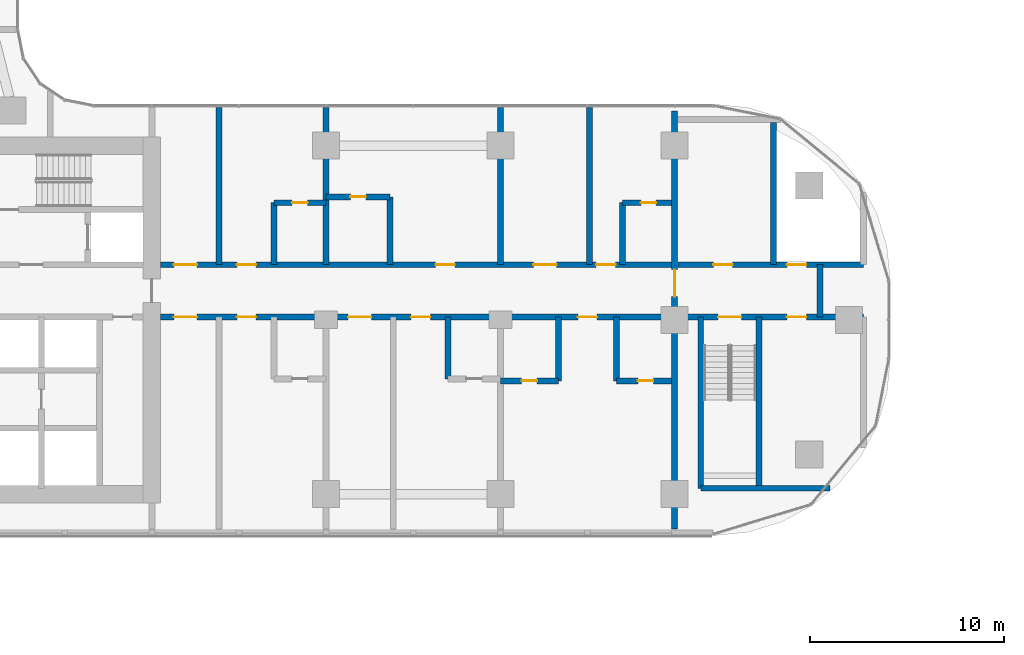
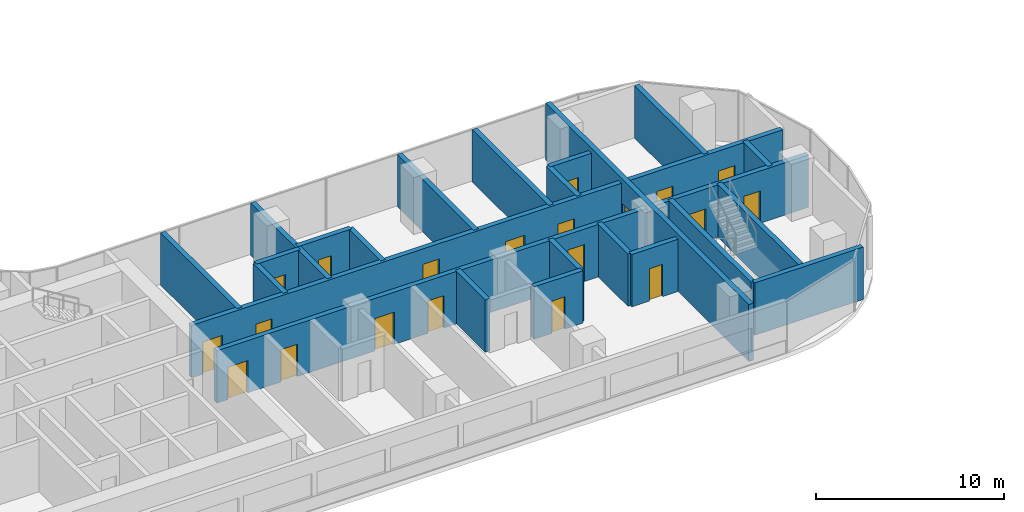
# One storey, part 18 of 32: 25 walls, 20 doors, 20 openings.
"""IFC4 building model written with IfcOpenShell, lengths in metres."""

from ifc_helpers import new_model, si_unit, direction, frame, frame_2d, origin, place, context, subcontext, project, spatial, rectangle, extrude, material, layer, layer_set, type_object, element, fill, save


model = new_model("IFC4")

# Units and contexts
model_context = context("Model", 3, precision=1e-05, world=origin(), true_north=direction((0.0, 1.0)))
body_context = subcontext(model_context, "Body", "Model", "MODEL_VIEW")
ifc_project = project(units=[si_unit("LENGTHUNIT", "METRE"), si_unit("AREAUNIT", "SQUARE_METRE"), si_unit("VOLUMEUNIT", "CUBIC_METRE"), si_unit("PLANEANGLEUNIT", "RADIAN"), si_unit("MASSUNIT", "GRAM", prefix="KILO")], contexts=[model_context])

# Site, building, storey
site_placement = place(None, origin())
site = spatial("IfcSite", under=ifc_project, at=site_placement, CompositionType="ELEMENT")
building_placement = place(site_placement, origin())
building = spatial("IfcBuilding", under=site, at=building_placement, Name="Ogive Portal Towers", CompositionType="ELEMENT")
storey_placement = place(building_placement, frame((0.0, 0.0, 59.39990234375)))
storey = spatial("IfcBuildingStorey", under=building, at=storey_placement, Name="L13", CompositionType="ELEMENT", Elevation=59.39990234375)

# Wall, opening, door
ifc_material_1 = material(Name="Concrete C60/75", Category="concrete")
ifc_layer_1 = layer(ifc_material_1, 0.300048828125)
ifc_layer_set_1 = layer_set([ifc_layer_1], Name="REVEAL WALL 300 C60")
wall_type_1 = type_object("IfcWallType", Name="REVEAL WALL 300 C60", PredefinedType="SHEAR", material=ifc_layer_set_1)
wall_1_placement = place(storey_placement, frame((85.5, 19.705078125, 0.0), z_axis=(0.0, 0.0, 1.0), x_axis=(0.0, 1.0, 0.0)))
wall_1 = element("IfcWall", 1, at=wall_1_placement, inside=storey, type_object=wall_type_1, Name="Portal reveal wall L13", PredefinedType="SHEAR", context=body_context, shape_type="SweptSolid", body=[
    extrude(rectangle(XDim=21.58984375, YDim=0.300048828125, at=frame_2d((10.794921875, 0.0))), origin(), (0.0, 0.0, 1.0), 3.7001953125),
])
opening_1_placement = place(wall_1_placement, frame((11.9951171875, 0.0, 0.0)))
opening_1 = element("IfcOpeningElement", 2, at=opening_1_placement, cuts=wall_1, Name="Opening D03-063", PredefinedType="OPENING", context=body_context, shape_type="SweptSolid", body=[
    extrude(rectangle(XDim=1.39990234375, YDim=2.10009765625, at=frame_2d((0.699951171875, 1.050048828125))), frame((0.0, 0.16015625, 0.0), z_axis=(0.0, -1.0, 0.0), x_axis=(1.0, 0.0, 0.0)), (0.0, 0.0, 1.0), 0.320068359375),
])
ifc_material_2 = material(Name="Steel fire door", Category="steel")
door_type_1 = type_object("IfcDoorType", Name="DT-STAIR-1400x2100-FD90S", OperationType="SINGLE_SWING_LEFT", PredefinedType="DOOR", material=ifc_material_2)
door_1_placement = place(opening_1_placement, origin())
door_1 = element("IfcDoor", 3, at=door_1_placement, inside=storey, type_object=door_type_1, Name="Door D03-063", OperationType="SINGLE_SWING_RIGHT", OverallHeight=2.10009765625, OverallWidth=1.39990234375, PredefinedType="DOOR", context=body_context, shape_type="SweptSolid", body=[
    extrude(rectangle(XDim=1.39990234375, YDim=2.10009765625, at=frame_2d((0.699951171875, 1.050048828125))), frame((0.0, 0.02490234375, 0.0), z_axis=(0.0, -1.0, 0.0), x_axis=(1.0, 0.0, 0.0)), (0.0, 0.0, 1.0), 0.050048828125),
])
fill(opening_1, door_1)

# Wall
ifc_material_3 = material(Name="Concrete C50/60", Category="concrete")
ifc_layer_2 = layer(ifc_material_3, 0.300048828125)
ifc_layer_set_2 = layer_set([ifc_layer_2], Name="STAIR WALL 300 C50")
wall_type_2 = type_object("IfcWallType", Name="STAIR WALL 300 C50", PredefinedType="SHEAR", material=ifc_layer_set_2)
wall_2_placement = place(storey_placement, frame((86.85009765625, 21.800048828125, 0.0), z_axis=(0.0, 0.0, 1.0), x_axis=(1.0, 0.0, 0.0)))
element("IfcWall", 4, at=wall_2_placement, inside=storey, type_object=wall_type_2, Name="Stair wall ST-A4 L13", PredefinedType="SHEAR", context=body_context, shape_type="SweptSolid", body=[
    extrude(rectangle(XDim=6.663818359375, YDim=0.300048828125, at=frame_2d((3.33203125, 0.0))), origin(), (0.0, 0.0, 1.0), 3.400146484375),
])

# Wall, openings, doors
wall_3_placement = place(storey_placement, frame((85.669921875, 30.64990234375, 0.0), z_axis=(0.0, 0.0, 1.0), x_axis=(1.0, 0.0, 0.0)))
wall_3 = element("IfcWall", 5, at=wall_3_placement, inside=storey, type_object=wall_type_2, Name="Stair wall ST-A4 L13", PredefinedType="SHEAR", context=body_context, shape_type="SweptSolid", body=[
    extrude(rectangle(XDim=9.580078125, YDim=0.300048828125, at=frame_2d((4.7900390625, 0.0))), origin(), (0.0, 0.0, 1.0), 3.400146484375),
])
opening_2_placement = place(wall_3_placement, frame((2.080078125, 0.0, 0.0)))
opening_2 = element("IfcOpeningElement", 6, at=opening_2_placement, cuts=wall_3, Name="Opening D03-058", PredefinedType="OPENING", context=body_context, shape_type="SweptSolid", body=[
    extrude(rectangle(XDim=1.199951171875, YDim=2.10009765625, at=frame_2d((0.60009765625, 1.050048828125))), frame((0.0, 0.16015625, 0.0), z_axis=(0.0, -1.0, 0.0), x_axis=(1.0, 0.0, 0.0)), (0.0, 0.0, 1.0), 0.320068359375),
])
opening_3_placement = place(wall_3_placement, frame((5.6298828125, 0.0, 0.0)))
opening_3 = element("IfcOpeningElement", 7, at=opening_3_placement, cuts=wall_3, Name="Opening D03-061", PredefinedType="OPENING", context=body_context, shape_type="SweptSolid", body=[
    extrude(rectangle(XDim=1.0, YDim=2.10009765625, at=frame_2d((0.5, 1.050048828125))), frame((0.0, 0.16015625, 0.0), z_axis=(0.0, -1.0, 0.0), x_axis=(1.0, 0.0, 0.0)), (0.0, 0.0, 1.0), 0.320068359375),
])
door_type_2 = type_object("IfcDoorType", Name="DT-SERVICE-1000x2100-FD90S", OperationType="SINGLE_SWING_LEFT", PredefinedType="DOOR", material=ifc_material_2)
door_2_placement = place(opening_3_placement, origin())
door_2 = element("IfcDoor", 8, at=door_2_placement, inside=storey, type_object=door_type_2, Name="Door D03-061", OperationType="SINGLE_SWING_LEFT", OverallHeight=2.10009765625, OverallWidth=1.0, PredefinedType="DOOR", context=body_context, shape_type="SweptSolid", body=[
    extrude(rectangle(XDim=1.0, YDim=2.10009765625, at=frame_2d((0.5, 1.050048828125))), frame((0.0, 0.02490234375, 0.0), z_axis=(0.0, -1.0, 0.0), x_axis=(1.0, 0.0, 0.0)), (0.0, 0.0, 1.0), 0.050048828125),
])
fill(opening_3, door_2)
door_type_3 = type_object("IfcDoorType", Name="DT-STAIR-1200x2100-FD90S", OperationType="SINGLE_SWING_LEFT", PredefinedType="DOOR", material=ifc_material_2)
door_3_placement = place(opening_2_placement, origin())
door_3 = element("IfcDoor", 9, at=door_3_placement, inside=storey, type_object=door_type_3, Name="Door D03-058", OperationType="SINGLE_SWING_LEFT", OverallHeight=2.10009765625, OverallWidth=1.199951171875, PredefinedType="DOOR", context=body_context, shape_type="SweptSolid", body=[
    extrude(rectangle(XDim=1.199951171875, YDim=2.10009765625, at=frame_2d((0.60009765625, 1.050048828125))), frame((0.0, 0.02490234375, 0.0), z_axis=(0.0, -1.0, 0.0), x_axis=(1.0, 0.0, 0.0)), (0.0, 0.0, 1.0), 0.050048828125),
])
fill(opening_2, door_3)

# Walls
for number, where, z_axis, x_axis, name in (
    (10, (86.85009765625, 21.800048828125, 0.0), (0.0, 0.0, 1.0), (0.0, 1.0, 0.0), "Stair wall ST-A4 L13"),
    (11, (89.85009765625, 21.800048828125, 0.0), (0.0, 0.0, 1.0), (0.0, 1.0, 0.0), "Stair wall ST-A4 L13"),
):
    element("IfcWall", number, at=place(storey_placement, frame(where, z_axis=z_axis, x_axis=x_axis)), inside=storey, type_object=wall_type_2, Name=name, PredefinedType="SHEAR", context=body_context, shape_type="SweptSolid", body=[
        extrude(rectangle(XDim=8.849853515625, YDim=0.300048828125, at=frame_2d((4.4248046875, 0.0))), origin(), (0.0, 0.0, 1.0), 3.400146484375),
    ])

# Wall, openings, doors
ifc_material_4 = material(Name="Gypsum board partition on steel studs", Category="steel")
ifc_layer_3 = layer(ifc_material_4, 0.300048828125)
ifc_layer_set_3 = layer_set([ifc_layer_3], Name="WT-PART-300-EI 120")
wall_type_3 = type_object("IfcWallType", Name="WT-PART-300-EI 120", PredefinedType="PARTITIONING", material=ifc_layer_set_3)
wall_4_placement = place(storey_placement, frame((58.949951171875, 30.64990234375, 0.0), z_axis=(0.0, 0.0, 1.0), x_axis=(1.0, 0.0, 0.0)))
wall_4 = element("IfcWall", 12, at=wall_4_placement, inside=storey, type_object=wall_type_3, Name="Wall L13:w006", PredefinedType="PARTITIONING", context=body_context, shape_type="SweptSolid", body=[
    extrude(rectangle(XDim=26.380126953125, YDim=0.300048828125, at=frame_2d((13.18994140625, 0.0))), origin(), (0.0, 0.0, 1.0), 3.400146484375),
])
opening_4_placement = place(wall_4_placement, frame((0.68505859375, 0.0, 0.0)))
opening_4 = element("IfcOpeningElement", 13, at=opening_4_placement, cuts=wall_4, Name="Opening D03-029", PredefinedType="OPENING", context=body_context, shape_type="SweptSolid", body=[
    extrude(rectangle(XDim=1.199951171875, YDim=2.10009765625, at=frame_2d((0.60009765625, 1.050048828125))), frame((0.0, 0.16015625, 0.0), z_axis=(0.0, -1.0, 0.0), x_axis=(1.0, 0.0, 0.0)), (0.0, 0.0, 1.0), 0.320068359375),
])
opening_5_placement = place(wall_4_placement, frame((3.93505859375, 0.0, 0.0)))
opening_5 = element("IfcOpeningElement", 14, at=opening_5_placement, cuts=wall_4, Name="Opening D03-031", PredefinedType="OPENING", context=body_context, shape_type="SweptSolid", body=[
    extrude(rectangle(XDim=1.0, YDim=2.10009765625, at=frame_2d((0.5, 1.050048828125))), frame((0.0, 0.16015625, 0.0), z_axis=(0.0, -1.0, 0.0), x_axis=(1.0, 0.0, 0.0)), (0.0, 0.0, 1.0), 0.320068359375),
])
opening_6_placement = place(wall_4_placement, frame((9.68505859375, 0.0, 0.0)))
opening_6 = element("IfcOpeningElement", 15, at=opening_6_placement, cuts=wall_4, Name="Opening D03-034", PredefinedType="OPENING", context=body_context, shape_type="SweptSolid", body=[
    extrude(rectangle(XDim=1.199951171875, YDim=2.10009765625, at=frame_2d((0.60009765625, 1.050048828125))), frame((0.0, 0.16015625, 0.0), z_axis=(0.0, -1.0, 0.0), x_axis=(1.0, 0.0, 0.0)), (0.0, 0.0, 1.0), 0.320068359375),
])
opening_7_placement = place(wall_4_placement, frame((12.93505859375, 0.0, 0.0)))
opening_7 = element("IfcOpeningElement", 16, at=opening_7_placement, cuts=wall_4, Name="Opening D03-036", PredefinedType="OPENING", context=body_context, shape_type="SweptSolid", body=[
    extrude(rectangle(XDim=1.0, YDim=2.10009765625, at=frame_2d((0.5, 1.050048828125))), frame((0.0, 0.16015625, 0.0), z_axis=(0.0, -1.0, 0.0), x_axis=(1.0, 0.0, 0.0)), (0.0, 0.0, 1.0), 0.320068359375),
])
opening_8_placement = place(wall_4_placement, frame((21.550048828125, 0.0, 0.0)))
opening_8 = element("IfcOpeningElement", 17, at=opening_8_placement, cuts=wall_4, Name="Opening D03-042", PredefinedType="OPENING", context=body_context, shape_type="SweptSolid", body=[
    extrude(rectangle(XDim=1.0, YDim=2.39990234375, at=frame_2d((0.5, 1.199951171875))), frame((0.0, 0.16015625, 0.0), z_axis=(0.0, -1.0, 0.0), x_axis=(1.0, 0.0, 0.0)), (0.0, 0.0, 1.0), 0.320068359375),
])
door_type_4 = type_object("IfcDoorType", Name="DT-ENTRY-1000x2100-FD90S", OperationType="SINGLE_SWING_LEFT", PredefinedType="DOOR", material=ifc_material_2)
door_4_placement = place(opening_5_placement, origin())
door_4 = element("IfcDoor", 18, at=door_4_placement, inside=storey, type_object=door_type_4, Name="Door D03-031", OperationType="SINGLE_SWING_LEFT", OverallHeight=2.10009765625, OverallWidth=1.0, PredefinedType="DOOR", context=body_context, shape_type="SweptSolid", body=[
    extrude(rectangle(XDim=1.0, YDim=2.10009765625, at=frame_2d((0.5, 1.050048828125))), frame((0.0, 0.02490234375, 0.0), z_axis=(0.0, -1.0, 0.0), x_axis=(1.0, 0.0, 0.0)), (0.0, 0.0, 1.0), 0.050048828125),
])
fill(opening_5, door_4)
door_5_placement = place(opening_7_placement, origin())
door_5 = element("IfcDoor", 19, at=door_5_placement, inside=storey, type_object=door_type_4, Name="Door D03-036", OperationType="SINGLE_SWING_LEFT", OverallHeight=2.10009765625, OverallWidth=1.0, PredefinedType="DOOR", context=body_context, shape_type="SweptSolid", body=[
    extrude(rectangle(XDim=1.0, YDim=2.10009765625, at=frame_2d((0.5, 1.050048828125))), frame((0.0, 0.02490234375, 0.0), z_axis=(0.0, -1.0, 0.0), x_axis=(1.0, 0.0, 0.0)), (0.0, 0.0, 1.0), 0.050048828125),
])
fill(opening_7, door_5)
door_type_5 = type_object("IfcDoorType", Name="DT-ENTRY-1000x2400-FD90S", OperationType="SINGLE_SWING_LEFT", PredefinedType="DOOR", material=ifc_material_2)
door_6_placement = place(opening_8_placement, origin())
door_6 = element("IfcDoor", 20, at=door_6_placement, inside=storey, type_object=door_type_5, Name="Door D03-042", OperationType="SINGLE_SWING_RIGHT", OverallHeight=2.39990234375, OverallWidth=1.0, PredefinedType="DOOR", context=body_context, shape_type="SweptSolid", body=[
    extrude(rectangle(XDim=1.0, YDim=2.39990234375, at=frame_2d((0.5, 1.199951171875))), frame((0.0, 0.02490234375, 0.0), z_axis=(0.0, -1.0, 0.0), x_axis=(1.0, 0.0, 0.0)), (0.0, 0.0, 1.0), 0.050048828125),
])
fill(opening_8, door_6)
door_type_6 = type_object("IfcDoorType", Name="DT-ENTRY-1200x2100-FD90S", OperationType="SINGLE_SWING_LEFT", PredefinedType="DOOR", material=ifc_material_2)
door_7_placement = place(opening_4_placement, origin())
door_7 = element("IfcDoor", 21, at=door_7_placement, inside=storey, type_object=door_type_6, Name="Door D03-029", OperationType="SINGLE_SWING_LEFT", OverallHeight=2.10009765625, OverallWidth=1.199951171875, PredefinedType="DOOR", context=body_context, shape_type="SweptSolid", body=[
    extrude(rectangle(XDim=1.199951171875, YDim=2.10009765625, at=frame_2d((0.60009765625, 1.050048828125))), frame((0.0, 0.02490234375, 0.0), z_axis=(0.0, -1.0, 0.0), x_axis=(1.0, 0.0, 0.0)), (0.0, 0.0, 1.0), 0.050048828125),
])
fill(opening_4, door_7)
door_8_placement = place(opening_6_placement, origin())
door_8 = element("IfcDoor", 22, at=door_8_placement, inside=storey, type_object=door_type_6, Name="Door D03-034", OperationType="SINGLE_SWING_RIGHT", OverallHeight=2.10009765625, OverallWidth=1.199951171875, PredefinedType="DOOR", context=body_context, shape_type="SweptSolid", body=[
    extrude(rectangle(XDim=1.199951171875, YDim=2.10009765625, at=frame_2d((0.60009765625, 1.050048828125))), frame((0.0, 0.02490234375, 0.0), z_axis=(0.0, -1.0, 0.0), x_axis=(1.0, 0.0, 0.0)), (0.0, 0.0, 1.0), 0.050048828125),
])
fill(opening_6, door_8)

wall_5_placement = place(storey_placement, frame((58.949951171875, 33.35009765625, 0.0), z_axis=(0.0, 0.0, 1.0), x_axis=(1.0, 0.0, 0.0)))
wall_5 = element("IfcWall", 23, at=wall_5_placement, inside=storey, type_object=wall_type_3, Name="Wall L13:w008", PredefinedType="PARTITIONING", context=body_context, shape_type="SweptSolid", body=[
    extrude(rectangle(XDim=26.380126953125, YDim=0.300048828125, at=frame_2d((13.18994140625, 0.0))), origin(), (0.0, 0.0, 1.0), 3.400146484375),
])
opening_9_placement = place(wall_5_placement, frame((0.68505859375, 0.0, 0.0)))
opening_9 = element("IfcOpeningElement", 24, at=opening_9_placement, cuts=wall_5, Name="Opening D03-026", PredefinedType="OPENING", context=body_context, shape_type="SweptSolid", body=[
    extrude(rectangle(XDim=1.199951171875, YDim=2.10009765625, at=frame_2d((0.60009765625, 1.050048828125))), frame((0.0, 0.16015625, 0.0), z_axis=(0.0, -1.0, 0.0), x_axis=(1.0, 0.0, 0.0)), (0.0, 0.0, 1.0), 0.320068359375),
])
opening_10_placement = place(wall_5_placement, frame((3.93505859375, 0.0, 0.0)))
opening_10 = element("IfcOpeningElement", 25, at=opening_10_placement, cuts=wall_5, Name="Opening D03-028", PredefinedType="OPENING", context=body_context, shape_type="SweptSolid", body=[
    extrude(rectangle(XDim=1.0, YDim=2.10009765625, at=frame_2d((0.5, 1.050048828125))), frame((0.0, 0.16015625, 0.0), z_axis=(0.0, -1.0, 0.0), x_axis=(1.0, 0.0, 0.0)), (0.0, 0.0, 1.0), 0.320068359375),
])
opening_11_placement = place(wall_5_placement, frame((14.199951171875, 0.0, 0.0)))
opening_11 = element("IfcOpeningElement", 26, at=opening_11_placement, cuts=wall_5, Name="Opening D03-033", PredefinedType="OPENING", context=body_context, shape_type="SweptSolid", body=[
    extrude(rectangle(XDim=1.0, YDim=2.39990234375, at=frame_2d((0.5, 1.199951171875))), frame((0.0, 0.16015625, 0.0), z_axis=(0.0, -1.0, 0.0), x_axis=(1.0, 0.0, 0.0)), (0.0, 0.0, 1.0), 0.320068359375),
])
opening_12_placement = place(wall_5_placement, frame((19.25, 0.0, 0.0)))
opening_12 = element("IfcOpeningElement", 27, at=opening_12_placement, cuts=wall_5, Name="Opening D03-037", PredefinedType="OPENING", context=body_context, shape_type="SweptSolid", body=[
    extrude(rectangle(XDim=1.199951171875, YDim=2.10009765625, at=frame_2d((0.60009765625, 1.050048828125))), frame((0.0, 0.16015625, 0.0), z_axis=(0.0, -1.0, 0.0), x_axis=(1.0, 0.0, 0.0)), (0.0, 0.0, 1.0), 0.320068359375),
])
opening_13_placement = place(wall_5_placement, frame((22.5, 0.0, 0.0)))
opening_13 = element("IfcOpeningElement", 28, at=opening_13_placement, cuts=wall_5, Name="Opening D03-039", PredefinedType="OPENING", context=body_context, shape_type="SweptSolid", body=[
    extrude(rectangle(XDim=1.0, YDim=2.10009765625, at=frame_2d((0.5, 1.050048828125))), frame((0.0, 0.16015625, 0.0), z_axis=(0.0, -1.0, 0.0), x_axis=(1.0, 0.0, 0.0)), (0.0, 0.0, 1.0), 0.320068359375),
])
door_9_placement = place(opening_10_placement, origin())
door_9 = element("IfcDoor", 29, at=door_9_placement, inside=storey, type_object=door_type_4, Name="Door D03-028", OperationType="SINGLE_SWING_LEFT", OverallHeight=2.10009765625, OverallWidth=1.0, PredefinedType="DOOR", context=body_context, shape_type="SweptSolid", body=[
    extrude(rectangle(XDim=1.0, YDim=2.10009765625, at=frame_2d((0.5, 1.050048828125))), frame((0.0, 0.02490234375, 0.0), z_axis=(0.0, -1.0, 0.0), x_axis=(1.0, 0.0, 0.0)), (0.0, 0.0, 1.0), 0.050048828125),
])
fill(opening_10, door_9)
door_10_placement = place(opening_13_placement, origin())
door_10 = element("IfcDoor", 30, at=door_10_placement, inside=storey, type_object=door_type_4, Name="Door D03-039", OperationType="SINGLE_SWING_LEFT", OverallHeight=2.10009765625, OverallWidth=1.0, PredefinedType="DOOR", context=body_context, shape_type="SweptSolid", body=[
    extrude(rectangle(XDim=1.0, YDim=2.10009765625, at=frame_2d((0.5, 1.050048828125))), frame((0.0, 0.02490234375, 0.0), z_axis=(0.0, -1.0, 0.0), x_axis=(1.0, 0.0, 0.0)), (0.0, 0.0, 1.0), 0.050048828125),
])
fill(opening_13, door_10)
door_11_placement = place(opening_11_placement, origin())
door_11 = element("IfcDoor", 31, at=door_11_placement, inside=storey, type_object=door_type_5, Name="Door D03-033", OperationType="SINGLE_SWING_LEFT", OverallHeight=2.39990234375, OverallWidth=1.0, PredefinedType="DOOR", context=body_context, shape_type="SweptSolid", body=[
    extrude(rectangle(XDim=1.0, YDim=2.39990234375, at=frame_2d((0.5, 1.199951171875))), frame((0.0, 0.02490234375, 0.0), z_axis=(0.0, -1.0, 0.0), x_axis=(1.0, 0.0, 0.0)), (0.0, 0.0, 1.0), 0.050048828125),
])
fill(opening_11, door_11)
door_12_placement = place(opening_9_placement, origin())
door_12 = element("IfcDoor", 32, at=door_12_placement, inside=storey, type_object=door_type_6, Name="Door D03-026", OperationType="SINGLE_SWING_LEFT", OverallHeight=2.10009765625, OverallWidth=1.199951171875, PredefinedType="DOOR", context=body_context, shape_type="SweptSolid", body=[
    extrude(rectangle(XDim=1.199951171875, YDim=2.10009765625, at=frame_2d((0.60009765625, 1.050048828125))), frame((0.0, 0.02490234375, 0.0), z_axis=(0.0, -1.0, 0.0), x_axis=(1.0, 0.0, 0.0)), (0.0, 0.0, 1.0), 0.050048828125),
])
fill(opening_9, door_12)
door_13_placement = place(opening_12_placement, origin())
door_13 = element("IfcDoor", 33, at=door_13_placement, inside=storey, type_object=door_type_6, Name="Door D03-037", OperationType="SINGLE_SWING_RIGHT", OverallHeight=2.10009765625, OverallWidth=1.199951171875, PredefinedType="DOOR", context=body_context, shape_type="SweptSolid", body=[
    extrude(rectangle(XDim=1.199951171875, YDim=2.10009765625, at=frame_2d((0.60009765625, 1.050048828125))), frame((0.0, 0.02490234375, 0.0), z_axis=(0.0, -1.0, 0.0), x_axis=(1.0, 0.0, 0.0)), (0.0, 0.0, 1.0), 0.050048828125),
])
fill(opening_12, door_13)

wall_6_placement = place(storey_placement, frame((85.669921875, 33.35009765625, 0.0), z_axis=(0.0, 0.0, 1.0), x_axis=(1.0, 0.0, 0.0)))
wall_6 = element("IfcWall", 34, at=wall_6_placement, inside=storey, type_object=wall_type_3, Name="Wall L13:w009", PredefinedType="PARTITIONING", context=body_context, shape_type="SweptSolid", body=[
    extrude(rectangle(XDim=9.580078125, YDim=0.300048828125, at=frame_2d((4.7900390625, 0.0))), origin(), (0.0, 0.0, 1.0), 3.400146484375),
])
opening_14_placement = place(wall_6_placement, frame((1.830078125, 0.0, 0.0)))
opening_14 = element("IfcOpeningElement", 35, at=opening_14_placement, cuts=wall_6, Name="Opening D03-059", PredefinedType="OPENING", context=body_context, shape_type="SweptSolid", body=[
    extrude(rectangle(XDim=1.0, YDim=2.10009765625, at=frame_2d((0.5, 1.050048828125))), frame((0.0, 0.16015625, 0.0), z_axis=(0.0, -1.0, 0.0), x_axis=(1.0, 0.0, 0.0)), (0.0, 0.0, 1.0), 0.320068359375),
])
opening_15_placement = place(wall_6_placement, frame((5.6298828125, 0.0, 0.0)))
opening_15 = element("IfcOpeningElement", 36, at=opening_15_placement, cuts=wall_6, Name="Opening D03-060", PredefinedType="OPENING", context=body_context, shape_type="SweptSolid", body=[
    extrude(rectangle(XDim=1.0, YDim=2.10009765625, at=frame_2d((0.5, 1.050048828125))), frame((0.0, 0.16015625, 0.0), z_axis=(0.0, -1.0, 0.0), x_axis=(1.0, 0.0, 0.0)), (0.0, 0.0, 1.0), 0.320068359375),
])
door_14_placement = place(opening_14_placement, origin())
door_14 = element("IfcDoor", 37, at=door_14_placement, inside=storey, type_object=door_type_2, Name="Door D03-059", OperationType="SINGLE_SWING_LEFT", OverallHeight=2.10009765625, OverallWidth=1.0, PredefinedType="DOOR", context=body_context, shape_type="SweptSolid", body=[
    extrude(rectangle(XDim=1.0, YDim=2.10009765625, at=frame_2d((0.5, 1.050048828125))), frame((0.0, 0.02490234375, 0.0), z_axis=(0.0, -1.0, 0.0), x_axis=(1.0, 0.0, 0.0)), (0.0, 0.0, 1.0), 0.050048828125),
])
fill(opening_14, door_14)
door_15_placement = place(opening_15_placement, origin())
door_15 = element("IfcDoor", 38, at=door_15_placement, inside=storey, type_object=door_type_2, Name="Riser access door D03-060", OperationType="SINGLE_SWING_RIGHT", OverallHeight=2.10009765625, OverallWidth=1.0, PredefinedType="DOOR", context=body_context, shape_type="SweptSolid", body=[
    extrude(rectangle(XDim=1.0, YDim=2.10009765625, at=frame_2d((0.5, 1.050048828125))), frame((0.0, 0.02490234375, 0.0), z_axis=(0.0, -1.0, 0.0), x_axis=(1.0, 0.0, 0.0)), (0.0, 0.0, 1.0), 0.050048828125),
])
fill(opening_15, door_15)

# Wall
wall_7_placement = place(storey_placement, frame((93.0, 30.64990234375, 0.0), z_axis=(0.0, 0.0, 1.0), x_axis=(0.0, 1.0, 0.0)))
element("IfcWall", 39, at=wall_7_placement, inside=storey, type_object=wall_type_3, Name="Wall L13:w063", PredefinedType="PARTITIONING", context=body_context, shape_type="SweptSolid", body=[
    extrude(rectangle(XDim=2.7001953125, YDim=0.300048828125, at=frame_2d((1.35009765625, 0.0))), origin(), (0.0, 0.0, 1.0), 3.400146484375),
])

# Wall, opening, door
ifc_layer_4 = layer(ifc_material_4, 0.300048828125)
ifc_layer_set_4 = layer_set([ifc_layer_4], Name="WT-PART-300-EI 60")
wall_type_4 = type_object("IfcWallType", Name="WT-PART-300-EI 60", PredefinedType="PARTITIONING", material=ifc_layer_set_4)
wall_8_placement = place(storey_placement, frame((76.5, 27.35009765625, 0.0), z_axis=(0.0, 0.0, 1.0), x_axis=(1.0, 0.0, 0.0)))
wall_8 = element("IfcWall", 40, at=wall_8_placement, inside=storey, type_object=wall_type_4, Name="Wall L13:w002", PredefinedType="PARTITIONING", context=body_context, shape_type="SweptSolid", body=[
    extrude(rectangle(XDim=3.0, YDim=0.300048828125, at=frame_2d((1.5, 0.0))), origin(), (0.0, 0.0, 1.0), 3.400146484375),
])
opening_16_placement = place(wall_8_placement, frame((1.10009765625, 0.0, 0.0)))
opening_16 = element("IfcOpeningElement", 41, at=opening_16_placement, cuts=wall_8, Name="Opening D03-040", PredefinedType="OPENING", context=body_context, shape_type="SweptSolid", body=[
    extrude(rectangle(XDim=0.800048828125, YDim=2.10009765625, at=frame_2d((0.39990234375, 1.050048828125))), frame((0.0, 0.16015625, 0.0), z_axis=(0.0, -1.0, 0.0), x_axis=(1.0, 0.0, 0.0)), (0.0, 0.0, 1.0), 0.320068359375),
])
door_type_7 = type_object("IfcDoorType", Name="DT-BATH-800x2100-FD60S", OperationType="SINGLE_SWING_LEFT", PredefinedType="DOOR", material=ifc_material_2)
door_16_placement = place(opening_16_placement, origin())
door_16 = element("IfcDoor", 42, at=door_16_placement, inside=storey, type_object=door_type_7, Name="Door D03-040", OperationType="SINGLE_SWING_LEFT", OverallHeight=2.10009765625, OverallWidth=0.800048828125, PredefinedType="DOOR", context=body_context, shape_type="SweptSolid", body=[
    extrude(rectangle(XDim=0.800048828125, YDim=2.10009765625, at=frame_2d((0.39990234375, 1.050048828125))), frame((0.0, 0.02490234375, 0.0), z_axis=(0.0, -1.0, 0.0), x_axis=(1.0, 0.0, 0.0)), (0.0, 0.0, 1.0), 0.050048828125),
])
fill(opening_16, door_16)

wall_9_placement = place(storey_placement, frame((82.5, 27.35009765625, 0.0), z_axis=(0.0, 0.0, 1.0), x_axis=(1.0, 0.0, 0.0)))
wall_9 = element("IfcWall", 43, at=wall_9_placement, inside=storey, type_object=wall_type_4, Name="Wall L13:w003", PredefinedType="PARTITIONING", context=body_context, shape_type="SweptSolid", body=[
    extrude(rectangle(XDim=2.830078125, YDim=0.300048828125, at=frame_2d((1.4150390625, 0.0))), origin(), (0.0, 0.0, 1.0), 3.400146484375),
])
opening_17_placement = place(wall_9_placement, frame((1.10009765625, 0.0, 0.0)))
opening_17 = element("IfcOpeningElement", 44, at=opening_17_placement, cuts=wall_9, Name="Opening D03-041", PredefinedType="OPENING", context=body_context, shape_type="SweptSolid", body=[
    extrude(rectangle(XDim=0.800048828125, YDim=2.10009765625, at=frame_2d((0.39990234375, 1.050048828125))), frame((0.0, 0.16015625, 0.0), z_axis=(0.0, -1.0, 0.0), x_axis=(1.0, 0.0, 0.0)), (0.0, 0.0, 1.0), 0.320068359375),
])
door_17_placement = place(opening_17_placement, origin())
door_17 = element("IfcDoor", 45, at=door_17_placement, inside=storey, type_object=door_type_7, Name="Door D03-041", OperationType="SINGLE_SWING_LEFT", OverallHeight=2.10009765625, OverallWidth=0.800048828125, PredefinedType="DOOR", context=body_context, shape_type="SweptSolid", body=[
    extrude(rectangle(XDim=0.800048828125, YDim=2.10009765625, at=frame_2d((0.39990234375, 1.050048828125))), frame((0.0, 0.02490234375, 0.0), z_axis=(0.0, -1.0, 0.0), x_axis=(1.0, 0.0, 0.0)), (0.0, 0.0, 1.0), 0.050048828125),
])
fill(opening_17, door_17)

wall_10_placement = place(storey_placement, frame((64.800048828125, 36.550048828125, 0.0), z_axis=(0.0, 0.0, 1.0), x_axis=(1.0, 0.0, 0.0)))
wall_10 = element("IfcWall", 46, at=wall_10_placement, inside=storey, type_object=wall_type_4, Name="Wall L13:w010", PredefinedType="PARTITIONING", context=body_context, shape_type="SweptSolid", body=[
    extrude(rectangle(XDim=2.699951171875, YDim=0.300048828125, at=frame_2d((1.35009765625, 0.0))), origin(), (0.0, 0.0, 1.0), 3.400146484375),
])
opening_18_placement = place(wall_10_placement, frame((0.949951171875, 0.0, 0.0)))
opening_18 = element("IfcOpeningElement", 47, at=opening_18_placement, cuts=wall_10, Name="Opening D03-027", PredefinedType="OPENING", context=body_context, shape_type="SweptSolid", body=[
    extrude(rectangle(XDim=0.800048828125, YDim=2.10009765625, at=frame_2d((0.39990234375, 1.050048828125))), frame((0.0, 0.16015625, 0.0), z_axis=(0.0, -1.0, 0.0), x_axis=(1.0, 0.0, 0.0)), (0.0, 0.0, 1.0), 0.320068359375),
])
door_18_placement = place(opening_18_placement, origin())
door_18 = element("IfcDoor", 48, at=door_18_placement, inside=storey, type_object=door_type_7, Name="Door D03-027", OperationType="SINGLE_SWING_RIGHT", OverallHeight=2.10009765625, OverallWidth=0.800048828125, PredefinedType="DOOR", context=body_context, shape_type="SweptSolid", body=[
    extrude(rectangle(XDim=0.800048828125, YDim=2.10009765625, at=frame_2d((0.39990234375, 1.050048828125))), frame((0.0, 0.02490234375, 0.0), z_axis=(0.0, -1.0, 0.0), x_axis=(1.0, 0.0, 0.0)), (0.0, 0.0, 1.0), 0.050048828125),
])
fill(opening_18, door_18)

wall_11_placement = place(storey_placement, frame((82.800048828125, 36.550048828125, 0.0), z_axis=(0.0, 0.0, 1.0), x_axis=(1.0, 0.0, 0.0)))
wall_11 = element("IfcWall", 49, at=wall_11_placement, inside=storey, type_object=wall_type_4, Name="Wall L13:w011", PredefinedType="PARTITIONING", context=body_context, shape_type="SweptSolid", body=[
    extrude(rectangle(XDim=2.530029296875, YDim=0.300048828125, at=frame_2d((1.26513671875, 0.0))), origin(), (0.0, 0.0, 1.0), 3.400146484375),
])
opening_19_placement = place(wall_11_placement, frame((0.949951171875, 0.0, 0.0)))
opening_19 = element("IfcOpeningElement", 50, at=opening_19_placement, cuts=wall_11, Name="Opening D03-038", PredefinedType="OPENING", context=body_context, shape_type="SweptSolid", body=[
    extrude(rectangle(XDim=0.800048828125, YDim=2.10009765625, at=frame_2d((0.39990234375, 1.050048828125))), frame((0.0, 0.16015625, 0.0), z_axis=(0.0, -1.0, 0.0), x_axis=(1.0, 0.0, 0.0)), (0.0, 0.0, 1.0), 0.320068359375),
])
door_19_placement = place(opening_19_placement, origin())
door_19 = element("IfcDoor", 51, at=door_19_placement, inside=storey, type_object=door_type_7, Name="Door D03-038", OperationType="SINGLE_SWING_LEFT", OverallHeight=2.10009765625, OverallWidth=0.800048828125, PredefinedType="DOOR", context=body_context, shape_type="SweptSolid", body=[
    extrude(rectangle(XDim=0.800048828125, YDim=2.10009765625, at=frame_2d((0.39990234375, 1.050048828125))), frame((0.0, 0.02490234375, 0.0), z_axis=(0.0, -1.0, 0.0), x_axis=(1.0, 0.0, 0.0)), (0.0, 0.0, 1.0), 0.050048828125),
])
fill(opening_19, door_19)

wall_12_placement = place(storey_placement, frame((67.5, 36.85009765625, 0.0), z_axis=(0.0, 0.0, 1.0), x_axis=(1.0, 0.0, 0.0)))
wall_12 = element("IfcWall", 52, at=wall_12_placement, inside=storey, type_object=wall_type_4, Name="Wall L13:w012", PredefinedType="PARTITIONING", context=body_context, shape_type="SweptSolid", body=[
    extrude(rectangle(XDim=3.300048828125, YDim=0.300048828125, at=frame_2d((1.64990234375, 0.0))), origin(), (0.0, 0.0, 1.0), 3.400146484375),
])
opening_20_placement = place(wall_12_placement, frame((1.25, 0.0, 0.0)))
opening_20 = element("IfcOpeningElement", 53, at=opening_20_placement, cuts=wall_12, Name="Opening D03-032", PredefinedType="OPENING", context=body_context, shape_type="SweptSolid", body=[
    extrude(rectangle(XDim=0.800048828125, YDim=2.10009765625, at=frame_2d((0.39990234375, 1.050048828125))), frame((0.0, 0.16015625, 0.0), z_axis=(0.0, -1.0, 0.0), x_axis=(1.0, 0.0, 0.0)), (0.0, 0.0, 1.0), 0.320068359375),
])
door_20_placement = place(opening_20_placement, origin())
door_20 = element("IfcDoor", 54, at=door_20_placement, inside=storey, type_object=door_type_7, Name="Door D03-032", OperationType="SINGLE_SWING_LEFT", OverallHeight=2.10009765625, OverallWidth=0.800048828125, PredefinedType="DOOR", context=body_context, shape_type="SweptSolid", body=[
    extrude(rectangle(XDim=0.800048828125, YDim=2.10009765625, at=frame_2d((0.39990234375, 1.050048828125))), frame((0.0, 0.02490234375, 0.0), z_axis=(0.0, -1.0, 0.0), x_axis=(1.0, 0.0, 0.0)), (0.0, 0.0, 1.0), 0.050048828125),
])
fill(opening_20, door_20)

# Walls
wall_13_placement = place(storey_placement, frame((61.969970703125, 33.35009765625, 0.0), z_axis=(0.0, 0.0, 1.0), x_axis=(0.0, 1.0, 0.0)))
element("IfcWall", 55, at=wall_13_placement, inside=storey, type_object=wall_type_4, Name="Wall L13:w046", PredefinedType="PARTITIONING", context=body_context, shape_type="SweptSolid", body=[
    extrude(rectangle(XDim=8.125, YDim=0.300048828125, at=frame_2d((4.0625, 0.0))), origin(), (0.0, 0.0, 1.0), 3.400146484375),
])
wall_14_placement = place(storey_placement, frame((64.800048828125, 33.35009765625, 0.0), z_axis=(0.0, 0.0, 1.0), x_axis=(0.0, 1.0, 0.0)))
element("IfcWall", 56, at=wall_14_placement, inside=storey, type_object=wall_type_4, Name="Wall L13:w048", PredefinedType="PARTITIONING", context=body_context, shape_type="SweptSolid", body=[
    extrude(rectangle(XDim=3.199951171875, YDim=0.300048828125, at=frame_2d((1.60009765625, 0.0))), origin(), (0.0, 0.0, 1.0), 3.400146484375),
])
wall_15_placement = place(storey_placement, frame((67.5, 33.35009765625, 0.0), z_axis=(0.0, 0.0, 1.0), x_axis=(0.0, 1.0, 0.0)))
element("IfcWall", 57, at=wall_15_placement, inside=storey, type_object=wall_type_4, Name="Wall L13:w050", PredefinedType="PARTITIONING", context=body_context, shape_type="SweptSolid", body=[
    extrude(rectangle(XDim=8.125, YDim=0.300048828125, at=frame_2d((4.0625, 0.0))), origin(), (0.0, 0.0, 1.0), 3.400146484375),
])
wall_16_placement = place(storey_placement, frame((70.800048828125, 33.35009765625, 0.0), z_axis=(0.0, 0.0, 1.0), x_axis=(0.0, 1.0, 0.0)))
element("IfcWall", 58, at=wall_16_placement, inside=storey, type_object=wall_type_4, Name="Wall L13:w051", PredefinedType="PARTITIONING", context=body_context, shape_type="SweptSolid", body=[
    extrude(rectangle(XDim=3.5, YDim=0.300048828125, at=frame_2d((1.75, 0.0))), origin(), (0.0, 0.0, 1.0), 3.400146484375),
])
wall_17_placement = place(storey_placement, frame((73.800048828125, 27.449951171875, 0.0), z_axis=(0.0, 0.0, 1.0), x_axis=(0.0, 1.0, 0.0)))
element("IfcWall", 59, at=wall_17_placement, inside=storey, type_object=wall_type_4, Name="Wall L13:w053", PredefinedType="PARTITIONING", context=body_context, shape_type="SweptSolid", body=[
    extrude(rectangle(XDim=3.199951171875, YDim=0.300048828125, at=frame_2d((1.60009765625, 0.0))), origin(), (0.0, 0.0, 1.0), 3.400146484375),
])
wall_18_placement = place(storey_placement, frame((76.5, 33.35009765625, 0.0), z_axis=(0.0, 0.0, 1.0), x_axis=(0.0, 1.0, 0.0)))
element("IfcWall", 60, at=wall_18_placement, inside=storey, type_object=wall_type_4, Name="Wall L13:w055", PredefinedType="PARTITIONING", context=body_context, shape_type="SweptSolid", body=[
    extrude(rectangle(XDim=8.125, YDim=0.300048828125, at=frame_2d((4.0625, 0.0))), origin(), (0.0, 0.0, 1.0), 3.400146484375),
])
wall_19_placement = place(storey_placement, frame((79.5, 27.35009765625, 0.0), z_axis=(0.0, 0.0, 1.0), x_axis=(0.0, 1.0, 0.0)))
element("IfcWall", 61, at=wall_19_placement, inside=storey, type_object=wall_type_4, Name="Wall L13:w056", PredefinedType="PARTITIONING", context=body_context, shape_type="SweptSolid", body=[
    extrude(rectangle(XDim=3.2998046875, YDim=0.300048828125, at=frame_2d((1.64990234375, 0.0))), origin(), (0.0, 0.0, 1.0), 3.400146484375),
])
wall_20_placement = place(storey_placement, frame((81.10009765625, 33.35009765625, 0.0), z_axis=(0.0, 0.0, 1.0), x_axis=(0.0, 1.0, 0.0)))
element("IfcWall", 62, at=wall_20_placement, inside=storey, type_object=wall_type_4, Name="Wall L13:w057", PredefinedType="PARTITIONING", context=body_context, shape_type="SweptSolid", body=[
    extrude(rectangle(XDim=8.125, YDim=0.300048828125, at=frame_2d((4.0625, 0.0))), origin(), (0.0, 0.0, 1.0), 3.400146484375),
])
wall_21_placement = place(storey_placement, frame((82.5, 27.35009765625, 0.0), z_axis=(0.0, 0.0, 1.0), x_axis=(0.0, 1.0, 0.0)))
element("IfcWall", 63, at=wall_21_placement, inside=storey, type_object=wall_type_4, Name="Wall L13:w058", PredefinedType="PARTITIONING", context=body_context, shape_type="SweptSolid", body=[
    extrude(rectangle(XDim=3.2998046875, YDim=0.300048828125, at=frame_2d((1.64990234375, 0.0))), origin(), (0.0, 0.0, 1.0), 3.400146484375),
])
wall_22_placement = place(storey_placement, frame((82.800048828125, 33.35009765625, 0.0), z_axis=(0.0, 0.0, 1.0), x_axis=(0.0, 1.0, 0.0)))
element("IfcWall", 64, at=wall_22_placement, inside=storey, type_object=wall_type_4, Name="Wall L13:w059", PredefinedType="PARTITIONING", context=body_context, shape_type="SweptSolid", body=[
    extrude(rectangle(XDim=3.199951171875, YDim=0.300048828125, at=frame_2d((1.60009765625, 0.0))), origin(), (0.0, 0.0, 1.0), 3.400146484375),
])
wall_23_placement = place(storey_placement, frame((90.60009765625, 33.35009765625, 0.0), z_axis=(0.0, 0.0, 1.0), x_axis=(0.0, 1.0, 0.0)))
element("IfcWall", 65, at=wall_23_placement, inside=storey, type_object=wall_type_4, Name="Wall L13:w062", PredefinedType="PARTITIONING", context=body_context, shape_type="SweptSolid", body=[
    extrude(rectangle(XDim=7.35400390625, YDim=0.300048828125, at=frame_2d((3.677001953125, 0.0))), origin(), (0.0, 0.0, 1.0), 3.400146484375),
])

save(model, "model.ifc")
